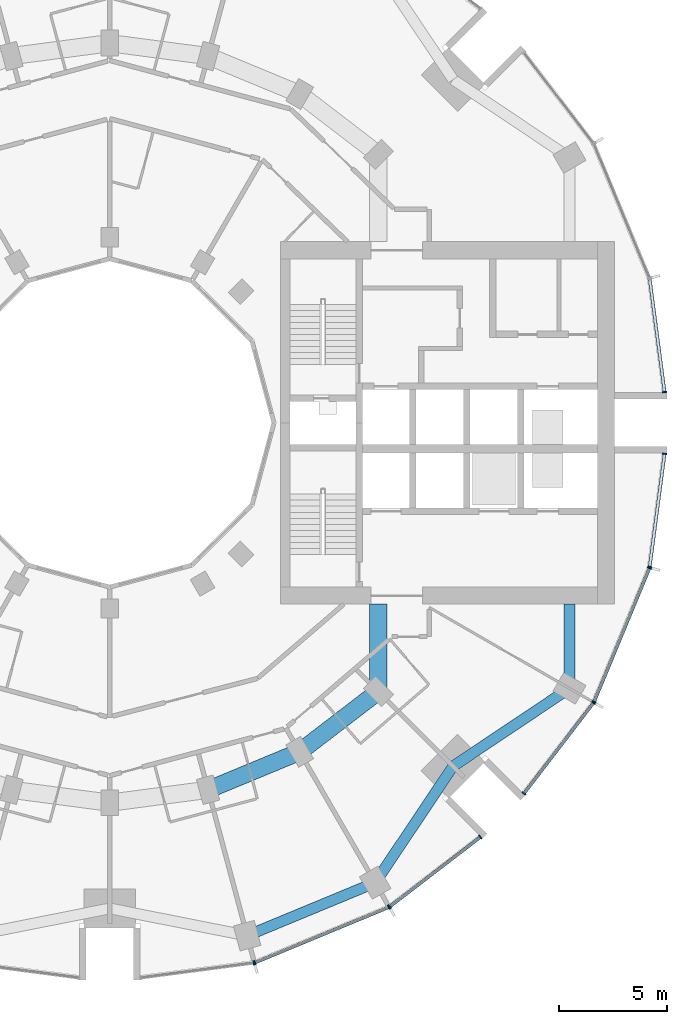
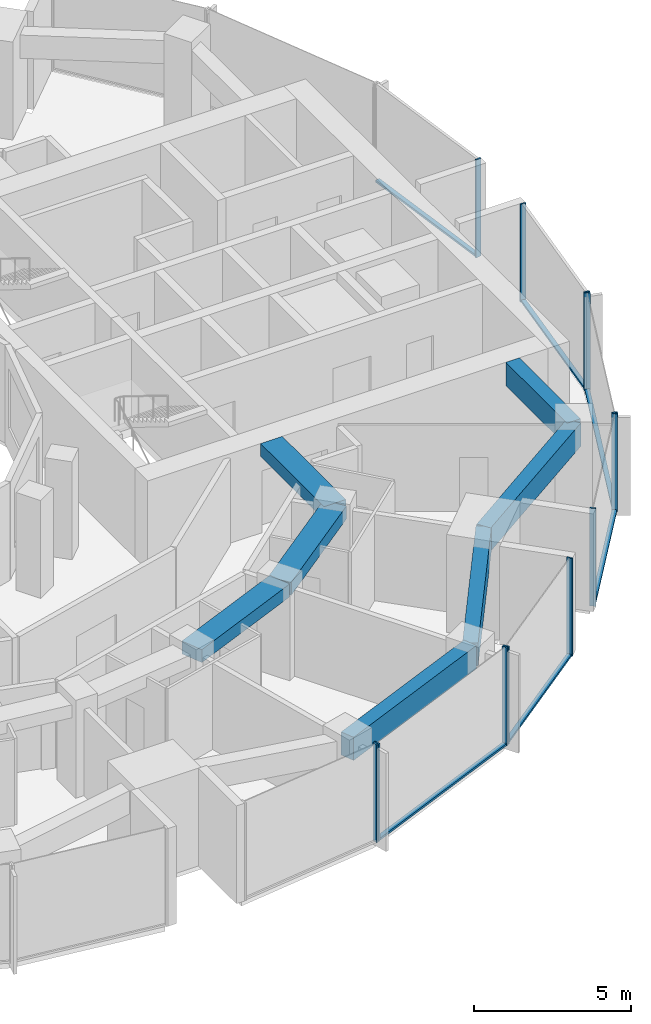
# One storey, part 4 of 15: 18 members, 7 beams, 7 elements without a shape of their own.
"""IFC4 building model written with IfcOpenShell, lengths in metres."""

from ifc_helpers import new_model, si_unit, direction, frame, origin, origin_2d, place, context, subcontext, project, spatial, rectangle, extrude, material, layer, layer_set, material_profile, profile_set, type_object, element, aggregate, save


model = new_model("IFC4")

# Units and contexts
model_context = context("Model", 3, precision=1e-05, world=origin(), true_north=direction((0.0, 1.0)))
body_context = subcontext(model_context, "Body", "Model", "MODEL_VIEW")
ifc_project = project(units=[si_unit("LENGTHUNIT", "METRE"), si_unit("AREAUNIT", "SQUARE_METRE"), si_unit("VOLUMEUNIT", "CUBIC_METRE"), si_unit("PLANEANGLEUNIT", "RADIAN"), si_unit("MASSUNIT", "GRAM", prefix="KILO")], contexts=[model_context])

# Site, building, storey
site_placement = place(None, origin())
site = spatial("IfcSite", under=ifc_project, at=site_placement, CompositionType="ELEMENT")
building_placement = place(site_placement, origin())
building = spatial("IfcBuilding", under=site, at=building_placement, Name="Torre Brocal", CompositionType="ELEMENT")
storey_placement = place(building_placement, frame((0.0, 0.0, 63.0)))
storey = spatial("IfcBuildingStorey", under=building, at=storey_placement, Name="L14", CompositionType="ELEMENT", Elevation=63.0)

# Curtain wall, member
ifc_material_1 = material(Name="Aluminium and glass", Category="aluminium")
ifc_layer_1 = layer(ifc_material_1, 0.199951171875)
ifc_layer_set_1 = layer_set([ifc_layer_1], Name="Aluminium and glass")
curtain_wall_type_1 = type_object("IfcCurtainWallType", Name="CW-1 CURTAIN WALL 3800 HIGH", PredefinedType="NOTDEFINED", material=ifc_layer_set_1)
curtain_wall_1_placement = place(storey_placement, origin())
curtain_wall_1 = element("IfcCurtainWall", 1, at=curtain_wall_1_placement, inside=storey, type_object=curtain_wall_type_1, Name="CW-1 RUN 19", PredefinedType="NOTDEFINED")
ifc_material_2 = material(Name="Aluminium, dark anodised", Category="aluminium")
ifc_material_profile_1 = material_profile(ifc_material_2, rectangle(XDim=0.199951171875, YDim=0.06005859375, at=origin_2d()), Name="CW-1 MULLION 60X200")
ifc_profile_set_1 = profile_set([ifc_material_profile_1], Name="Aluminium, dark anodised")
member_type_1 = type_object("IfcMemberType", Name="CW-1 MULLION 60X200", PredefinedType="MULLION", material=ifc_profile_set_1)
member_1_placement = place(storey_placement, frame((86.67333984375, 49.9794921875, 0.0), z_axis=(0.0, 0.0, 1.0), x_axis=(-0.13052619222, 0.991444861374, 0.0)))
member_1 = element("IfcMember", 2, at=member_1_placement, type_object=member_type_1, Name="CW1-1 mullion 2", PredefinedType="MULLION", context=body_context, shape_type="SweptSolid", body=[
    extrude(rectangle(XDim=0.199951171875, YDim=0.06005859375, at=origin_2d()), origin(), (0.0, 0.0, 1.0), 3.800048828125),
])
aggregate(curtain_wall_1, [member_1])

# Curtain wall, members
curtain_wall_2_placement = place(storey_placement, origin())
curtain_wall_2 = element("IfcCurtainWall", 3, at=curtain_wall_2_placement, inside=storey, type_object=curtain_wall_type_1, Name="CW-1 RUN 20", PredefinedType="NOTDEFINED")
member_2_placement = place(storey_placement, frame((86.73095703125, 49.994873046875, 0.0), z_axis=(0.0, 0.0, 1.0), x_axis=(-0.382683432333, 0.923879532525, 0.0)))
member_2 = element("IfcMember", 4, at=member_2_placement, type_object=member_type_1, Name="CW1-1 mullion 1", PredefinedType="MULLION", context=body_context, shape_type="SweptSolid", body=[
    extrude(rectangle(XDim=0.199951171875, YDim=0.06005859375, at=origin_2d()), origin(), (0.0, 0.0, 1.0), 3.800048828125),
])
member_3_placement = place(storey_placement, frame((92.921875, 52.559326171875, 0.0), z_axis=(0.0, 0.0, 1.0), x_axis=(-0.382683432333, 0.923879532525, 0.0)))
member_3 = element("IfcMember", 5, at=member_3_placement, type_object=member_type_1, Name="CW1-1 mullion 2", PredefinedType="MULLION", context=body_context, shape_type="SweptSolid", body=[
    extrude(rectangle(XDim=0.199951171875, YDim=0.06005859375, at=origin_2d()), origin(), (0.0, 0.0, 1.0), 3.800048828125),
])

curtain_wall_3_placement = place(storey_placement, origin())
curtain_wall_3 = element("IfcCurtainWall", 6, at=curtain_wall_3_placement, inside=storey, type_object=curtain_wall_type_1, Name="CW-1 RUN 21", PredefinedType="NOTDEFINED")
member_4_placement = place(storey_placement, frame((92.973388671875, 52.5888671875, 0.0), z_axis=(0.0, 0.0, 1.0), x_axis=(-0.60876142905, 0.793353340259, 0.0)))
member_4 = element("IfcMember", 7, at=member_4_placement, type_object=member_type_1, Name="CW1-1 mullion 1", PredefinedType="MULLION", context=body_context, shape_type="SweptSolid", body=[
    extrude(rectangle(XDim=0.199951171875, YDim=0.06005859375, at=origin_2d()), origin(), (0.0, 0.0, 1.0), 3.800048828125),
])
member_5_placement = place(storey_placement, frame((97.16943359375, 55.80859375, 0.0), z_axis=(0.0, 0.0, 1.0), x_axis=(-0.60876142905, 0.793353340259, 0.0)))
member_5 = element("IfcMember", 8, at=member_5_placement, type_object=member_type_1, Name="CW1-1 mullion 2", PredefinedType="MULLION", context=body_context, shape_type="SweptSolid", body=[
    extrude(rectangle(XDim=0.199951171875, YDim=0.06005859375, at=origin_2d()), origin(), (0.0, 0.0, 1.0), 3.800048828125),
])

curtain_wall_4_placement = place(storey_placement, origin())
curtain_wall_4 = element("IfcCurtainWall", 9, at=curtain_wall_4_placement, inside=storey, type_object=curtain_wall_type_1, Name="CW-1 RUN 22", PredefinedType="NOTDEFINED")
member_6_placement = place(storey_placement, frame((99.19140625, 57.83056640625, 0.0), z_axis=(0.0, 0.0, 1.0), x_axis=(-0.793353340259, 0.60876142905, 0.0)))
member_6 = element("IfcMember", 10, at=member_6_placement, type_object=member_type_1, Name="CW1-1 mullion 1", PredefinedType="MULLION", context=body_context, shape_type="SweptSolid", body=[
    extrude(rectangle(XDim=0.199951171875, YDim=0.06005859375, at=origin_2d()), origin(), (0.0, 0.0, 1.0), 3.800048828125),
])
member_7_placement = place(storey_placement, frame((102.4111328125, 62.026611328125, 0.0), z_axis=(0.0, 0.0, 1.0), x_axis=(-0.793353340259, 0.60876142905, 0.0)))
member_7 = element("IfcMember", 11, at=member_7_placement, type_object=member_type_1, Name="CW1-1 mullion 2", PredefinedType="MULLION", context=body_context, shape_type="SweptSolid", body=[
    extrude(rectangle(XDim=0.199951171875, YDim=0.06005859375, at=origin_2d()), origin(), (0.0, 0.0, 1.0), 3.800048828125),
])

curtain_wall_5_placement = place(storey_placement, origin())
curtain_wall_5 = element("IfcCurtainWall", 12, at=curtain_wall_5_placement, inside=storey, type_object=curtain_wall_type_1, Name="CW-1 RUN 23", PredefinedType="NOTDEFINED")
member_8_placement = place(storey_placement, frame((102.440673828125, 62.078125, 0.0), z_axis=(0.0, 0.0, 1.0), x_axis=(-0.923879532525, 0.382683432333, 0.0)))
member_8 = element("IfcMember", 13, at=member_8_placement, type_object=member_type_1, Name="CW1-1 mullion 1", PredefinedType="MULLION", context=body_context, shape_type="SweptSolid", body=[
    extrude(rectangle(XDim=0.199951171875, YDim=0.06005859375, at=origin_2d()), origin(), (0.0, 0.0, 1.0), 3.800048828125),
])
member_9_placement = place(storey_placement, frame((105.005126953125, 68.26904296875, 0.0), z_axis=(0.0, 0.0, 1.0), x_axis=(-0.923879532525, 0.382683432333, 0.0)))
member_9 = element("IfcMember", 14, at=member_9_placement, type_object=member_type_1, Name="CW1-1 mullion 2", PredefinedType="MULLION", context=body_context, shape_type="SweptSolid", body=[
    extrude(rectangle(XDim=0.199951171875, YDim=0.06005859375, at=origin_2d()), origin(), (0.0, 0.0, 1.0), 3.800048828125),
])

# Member
ifc_material_3 = material(Name="Aluminium, dark anodised", Category="aluminium")
ifc_material_profile_2 = material_profile(ifc_material_3, rectangle(XDim=0.159912109375, YDim=0.080078125, at=origin_2d()), Name="CW-1 TRANSOM 160X80")
ifc_profile_set_2 = profile_set([ifc_material_profile_2], Name="Aluminium, dark anodised")
member_type_2 = type_object("IfcMemberType", Name="CW-1 TRANSOM 160X80", PredefinedType="USERDEFINED", material=ifc_profile_set_2)
member_10_placement = place(storey_placement, frame((86.758544921875, 50.00634765625, 0.0400390625), z_axis=(0.923887344364, 0.38266457234, 0.0), x_axis=(-0.38266457234, 0.923887344364, 0.0)))
member_10 = element("IfcMember", 15, at=member_10_placement, type_object=member_type_2, Name="CW1-1 transom 1.1", ObjectType="TRANSOM", PredefinedType="USERDEFINED", context=body_context, shape_type="SweptSolid", body=[
    extrude(rectangle(XDim=0.159912109375, YDim=0.080078125, at=origin_2d()), origin(), (0.0, 0.0, 1.0), 6.640869140625),
])

aggregate(curtain_wall_2, [member_2, member_3, member_10])

member_11_placement = place(storey_placement, frame((92.9970703125, 52.607177734375, 0.0400390625), z_axis=(0.79336281513, 0.60874908096, 0.0), x_axis=(-0.60874908096, 0.79336281513, 0.0)))
member_11 = element("IfcMember", 16, at=member_11_placement, type_object=member_type_2, Name="CW1-1 transom 1.1", ObjectType="TRANSOM", PredefinedType="USERDEFINED", context=body_context, shape_type="SweptSolid", body=[
    extrude(rectangle(XDim=0.159912109375, YDim=0.080078125, at=origin_2d()), origin(), (0.0, 0.0, 1.0), 5.22900390625),
])

aggregate(curtain_wall_3, [member_4, member_5, member_11])

member_12_placement = place(storey_placement, frame((99.209716796875, 57.8544921875, 0.0400390625), z_axis=(0.60874908096, 0.79336281513, 0.0), x_axis=(-0.79336281513, 0.60874908096, 0.0)))
member_12 = element("IfcMember", 17, at=member_12_placement, type_object=member_type_2, Name="CW1-1 transom 1.1", ObjectType="TRANSOM", PredefinedType="USERDEFINED", context=body_context, shape_type="SweptSolid", body=[
    extrude(rectangle(XDim=0.159912109375, YDim=0.080078125, at=origin_2d()), origin(), (0.0, 0.0, 1.0), 5.22900390625),
])

aggregate(curtain_wall_4, [member_6, member_7, member_12])

member_13_placement = place(storey_placement, frame((102.452392578125, 62.10595703125, 0.0400390625), z_axis=(0.38266457234, 0.923887344364, 0.0), x_axis=(-0.923887344364, 0.38266457234, 0.0)))
member_13 = element("IfcMember", 18, at=member_13_placement, type_object=member_type_2, Name="CW1-1 transom 1.1", ObjectType="TRANSOM", PredefinedType="USERDEFINED", context=body_context, shape_type="SweptSolid", body=[
    extrude(rectangle(XDim=0.159912109375, YDim=0.080078125, at=origin_2d()), origin(), (0.0, 0.0, 1.0), 6.640869140625),
])

aggregate(curtain_wall_5, [member_8, member_9, member_13])

# Curtain wall, member
ifc_material_4 = material(Name="Aluminium and glass", Category="aluminium")
ifc_layer_2 = layer(ifc_material_4, 0.199951171875)
ifc_layer_set_2 = layer_set([ifc_layer_2], Name="Aluminium and glass")
curtain_wall_type_2 = type_object("IfcCurtainWallType", Name="CW-1B CURTAIN WALL 3800 HIGH", PredefinedType="NOTDEFINED", material=ifc_layer_set_2)
curtain_wall_6_placement = place(storey_placement, origin())
curtain_wall_6 = element("IfcCurtainWall", 19, at=curtain_wall_6_placement, inside=storey, type_object=curtain_wall_type_2, Name="CW-1B RUN 1", PredefinedType="NOTDEFINED")
ifc_material_5 = material(Name="Aluminium, dark anodised", Category="aluminium")
ifc_material_profile_3 = material_profile(ifc_material_5, rectangle(XDim=0.199951171875, YDim=0.06005859375, at=origin_2d()), Name="CW-1B MULLION 60X200")
ifc_profile_set_3 = profile_set([ifc_material_profile_3], Name="Aluminium, dark anodised")
member_type_3 = type_object("IfcMemberType", Name="CW-1B MULLION 60X200", PredefinedType="MULLION", material=ifc_profile_set_3)
member_14_placement = place(storey_placement, frame((105.7109375, 76.4296875, 0.0), z_axis=(0.0, 0.0, 1.0), x_axis=(-0.991444861374, -0.13052619222, 0.0)))
member_14 = element("IfcMember", 20, at=member_14_placement, type_object=member_type_3, Name="CW1B-1 mullion 1", PredefinedType="MULLION", context=body_context, shape_type="SweptSolid", body=[
    extrude(rectangle(XDim=0.199951171875, YDim=0.06005859375, at=origin_2d()), origin(), (0.0, 0.0, 1.0), 3.800048828125),
])

# Curtain wall, members
curtain_wall_7_placement = place(storey_placement, origin())
curtain_wall_7 = element("IfcCurtainWall", 21, at=curtain_wall_7_placement, inside=storey, type_object=curtain_wall_type_2, Name="CW-1B RUN 24", PredefinedType="NOTDEFINED")
member_15_placement = place(storey_placement, frame((105.0205078125, 68.32666015625, 0.0), z_axis=(0.0, 0.0, 1.0), x_axis=(-0.991444861374, 0.13052619222, 0.0)))
member_15 = element("IfcMember", 22, at=member_15_placement, type_object=member_type_3, Name="CW1B-1 mullion 1", PredefinedType="MULLION", context=body_context, shape_type="SweptSolid", body=[
    extrude(rectangle(XDim=0.199951171875, YDim=0.06005859375, at=origin_2d()), origin(), (0.0, 0.0, 1.0), 3.800048828125),
])
member_16_placement = place(storey_placement, frame((105.7109375, 73.5703125, 0.0), z_axis=(0.0, 0.0, 1.0), x_axis=(-0.991444861374, 0.13052619222, 0.0)))
member_16 = element("IfcMember", 23, at=member_16_placement, type_object=member_type_3, Name="CW1B-1 mullion 2", PredefinedType="MULLION", context=body_context, shape_type="SweptSolid", body=[
    extrude(rectangle(XDim=0.199951171875, YDim=0.06005859375, at=origin_2d()), origin(), (0.0, 0.0, 1.0), 3.800048828125),
])

# Member
ifc_material_6 = material(Name="Aluminium, dark anodised", Category="aluminium")
ifc_material_profile_4 = material_profile(ifc_material_6, rectangle(XDim=0.159912109375, YDim=0.080078125, at=origin_2d()), Name="CW-1B TRANSOM 160X80")
ifc_profile_set_4 = profile_set([ifc_material_profile_4], Name="Aluminium, dark anodised")
member_type_4 = type_object("IfcMemberType", Name="CW-1B TRANSOM 160X80", PredefinedType="USERDEFINED", material=ifc_profile_set_4)
member_17_placement = place(storey_placement, frame((105.70703125, 76.45947265625, 0.0400390625), z_axis=(-0.130542677827, 0.991442690863, 0.0), x_axis=(-0.991442690863, -0.130542677827, 0.0)))
member_17 = element("IfcMember", 24, at=member_17_placement, type_object=member_type_4, Name="CW1B-1 transom 1.1", ObjectType="TRANSOM", PredefinedType="USERDEFINED", context=body_context, shape_type="SweptSolid", body=[
    extrude(rectangle(XDim=0.159912109375, YDim=0.080078125, at=origin_2d()), origin(), (0.0, 0.0, 1.0), 5.22900390625),
])

aggregate(curtain_wall_6, [member_14, member_17])

member_18_placement = place(storey_placement, frame((105.0244140625, 68.356201171875, 0.0400390625), z_axis=(0.130542677827, 0.991442690863, 0.0), x_axis=(-0.991442690863, 0.130542677827, 0.0)))
member_18 = element("IfcMember", 25, at=member_18_placement, type_object=member_type_4, Name="CW1B-1 transom 1.1", ObjectType="TRANSOM", PredefinedType="USERDEFINED", context=body_context, shape_type="SweptSolid", body=[
    extrude(rectangle(XDim=0.159912109375, YDim=0.080078125, at=origin_2d()), origin(), (0.0, 0.0, 1.0), 5.22900390625),
])

aggregate(curtain_wall_7, [member_15, member_16, member_18])

# Beams
ifc_material_7 = material(Name="Concrete C50", Category="concrete")
ifc_material_profile_5 = material_profile(ifc_material_7, rectangle(XDim=0.800048828125, YDim=0.5, at=origin_2d()), Name="RC 800X500")
ifc_profile_set_5 = profile_set([ifc_material_profile_5], Name="Concrete C50")
beam_type_1 = type_object("IfcBeamType", Name="RC BEAM 800X500 C50 TOP 3480", PredefinedType="BEAM", material=ifc_profile_set_5)
beam_1_placement = place(storey_placement, frame((84.55517578125, 57.999755859375, 3.22998046875), z_axis=(0.923878240166, 0.382686552348, 0.0), x_axis=(-0.382686552348, 0.923878240166, 0.0)))
element("IfcBeam", 26, at=beam_1_placement, inside=storey, type_object=beam_type_1, Name="Beam BT-19", PredefinedType="BEAM", context=body_context, shape_type="SweptSolid", body=[
    extrude(rectangle(XDim=0.800048828125, YDim=0.5, at=origin_2d()), origin(), (0.0, 0.0, 1.0), 4.5947265625),
])
beam_2_placement = place(storey_placement, frame((88.800048828125, 59.758056640625, 3.22998046875), z_axis=(0.793358265959, 0.6087550097, 0.0), x_axis=(-0.6087550097, 0.793358265959, 0.0)))
element("IfcBeam", 27, at=beam_2_placement, inside=storey, type_object=beam_type_1, Name="Beam BT-19", PredefinedType="BEAM", context=body_context, shape_type="SweptSolid", body=[
    extrude(rectangle(XDim=0.800048828125, YDim=0.5, at=origin_2d()), origin(), (0.0, 0.0, 1.0), 4.594482421875),
])
beam_3_placement = place(storey_placement, frame((92.445068359375, 62.554931640625, 3.22998046875), z_axis=(0.0, 1.0, 0.0), x_axis=(-1.0, 0.0, 0.0)))
element("IfcBeam", 28, at=beam_3_placement, inside=storey, type_object=beam_type_1, Name="Beam BT-19", PredefinedType="BEAM", context=body_context, shape_type="SweptSolid", body=[
    extrude(rectangle(XDim=0.800048828125, YDim=0.5, at=origin_2d()), origin(), (0.0, 0.0, 1.0), 4.045166015625),
])
ifc_material_8 = material(Name="Concrete C50", Category="concrete")
ifc_material_profile_6 = material_profile(ifc_material_8, rectangle(XDim=0.5, YDim=0.89990234375, at=origin_2d()), Name="RC 500X900")
ifc_profile_set_6 = profile_set([ifc_material_profile_6], Name="Concrete C50")
beam_type_2 = type_object("IfcBeamType", Name="RC SPANDREL BEAM 500X900 C50 TOP 3480", PredefinedType="SPANDREL", material=ifc_profile_set_6)
beam_4_placement = place(storey_placement, frame((86.366943359375, 51.23828125, 3.030029296875), z_axis=(0.923882462513, 0.382676358639, 0.0), x_axis=(-0.382676358639, 0.923882462513, 0.0)))
element("IfcBeam", 29, at=beam_4_placement, inside=storey, type_object=beam_type_2, Name="Beam BT-20", PredefinedType="SPANDREL", context=body_context, shape_type="SweptSolid", body=[
    extrude(rectangle(XDim=0.5, YDim=0.89990234375, at=origin_2d()), origin(), (0.0, 0.0, 1.0), 6.421875),
])
for number, where, z_axis, x_axis, name in (
    (30, (92.300048828125, 53.69580078125, 3.030029296875), (0.556157602282, 0.831076844476, 0.0), (-0.831076844476, 0.556157602282, 0.0), "Beam BT-20"),
    (31, (95.909912109375, 59.090087890625, 3.030029296875), (0.831076844476, 0.556157602282, 0.0), (-0.556157602282, 0.831076844476, 0.0), "Beam BT-20"),
):
    element("IfcBeam", number, at=place(storey_placement, frame(where, z_axis=z_axis, x_axis=x_axis)), inside=storey, type_object=beam_type_2, Name=name, PredefinedType="SPANDREL", context=body_context, shape_type="SweptSolid", body=[
        extrude(rectangle(XDim=0.5, YDim=0.89990234375, at=origin_2d()), origin(), (0.0, 0.0, 1.0), 6.49072265625),
    ])
beam_5_placement = place(storey_placement, frame((101.30419921875, 62.699951171875, 3.030029296875), z_axis=(0.0, 1.0, 0.0), x_axis=(-1.0, 0.0, 0.0)))
element("IfcBeam", 32, at=beam_5_placement, inside=storey, type_object=beam_type_2, Name="Beam BT-20", PredefinedType="SPANDREL", context=body_context, shape_type="SweptSolid", body=[
    extrude(rectangle(XDim=0.5, YDim=0.89990234375, at=origin_2d()), origin(), (0.0, 0.0, 1.0), 3.900146484375),
])

save(model, "model.ifc")
